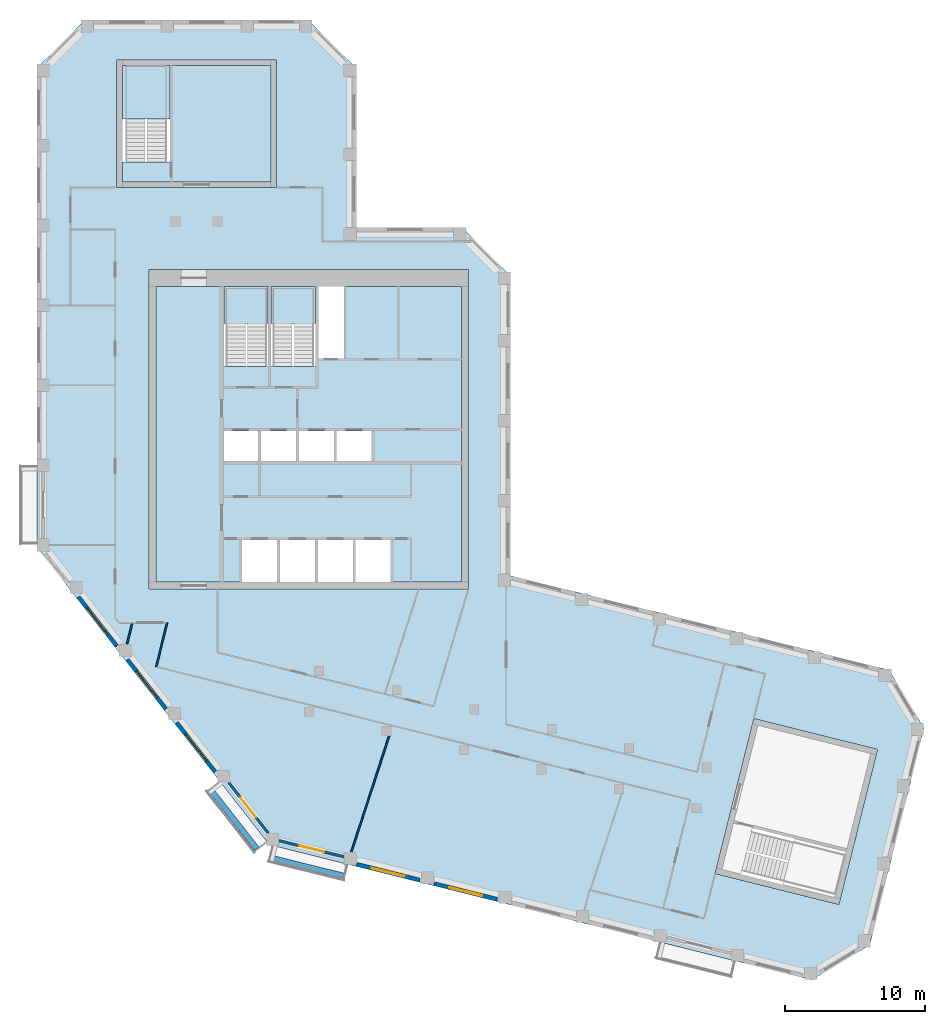
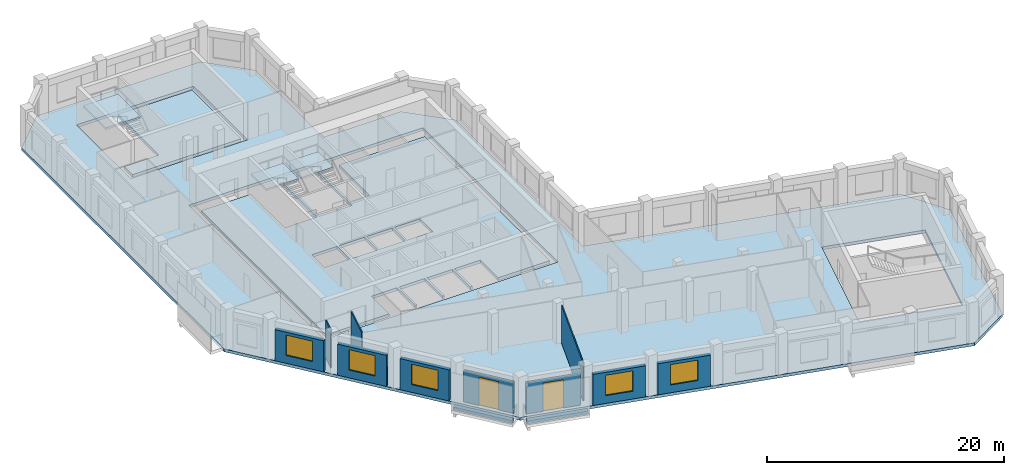
# One storey, part 2 of 8: 12 walls, 6 slabs, 5 windows, 2 doors, 7 openings, 3 elements without a shape of their own.
"""IFC4 building model written with IfcOpenShell, lengths in metres."""

import ifcopenshell
import ifcopenshell.guid

model = None  # the IFC model being written
_history = None  # IfcOwnerHistory: only IFC2X3 demands one
_inside = {}  # id of a spatial element -> (the spatial element, [elements in it])
_under = {}  # id of a project, library or spatial element -> (it, [spatial elements below it])
_declared = {}  # id of a project -> (the project, [libraries it declares])
_typed = {}  # id of a type object -> (the type object, [elements of that type])
_made_of = {}  # id of a material, layer set ... -> (it, [elements and type objects made of it])


def new_model(schema):
    """Start an empty IFC model of exactly this schema.

    Asked for "IFC4X3", IfcOpenShell would pick the latest addendum, in which some entities
    have other attributes; the version numbers below select the first issue.
    IFC2X3 requires an IfcOwnerHistory on every rooted entity: one is made here for all.
    """
    global model, _history
    if schema == "IFC4X3":
        model = ifcopenshell.file(schema_version=(4, 3, 0, 0))
    else:
        model = ifcopenshell.file(schema=schema)
    _inside.clear()
    _under.clear()
    _declared.clear()
    _typed.clear()
    _made_of.clear()
    _history = None
    if model.schema == "IFC2X3":
        org = make("IfcOrganization", Name="unknown")
        user = make(
            "IfcPersonAndOrganization",
            ThePerson=make("IfcPerson", FamilyName="unknown"),
            TheOrganization=org,
        )
        app = make(
            "IfcApplication",
            ApplicationDeveloper=org,
            Version="unknown",
            ApplicationFullName="unknown",
            ApplicationIdentifier="unknown",
        )
        _history = make(
            "IfcOwnerHistory",
            OwningUser=user,
            OwningApplication=app,
            ChangeAction="ADDED",
            CreationDate=0,
        )
    return model


def make(cls, **values):
    """One entity of the class cls with the attributes given. An attribute that is None is left unset."""
    return model.create_entity(
        cls, **{name: value for name, value in values.items() if value is not None}
    )


def rooted(cls, **values):
    """An entity with a GlobalId (a new one), such as an element, a storey or a relation."""
    return make(cls, GlobalId=ifcopenshell.guid.new(), OwnerHistory=_history, **values)


def si_unit(unit_type, name, prefix=None):
    """IfcSIUnit, for example si_unit("LENGTHUNIT", "METRE", prefix="MILLI")."""
    return make("IfcSIUnit", UnitType=unit_type, Prefix=prefix, Name=name)


def assignment(units):
    """IfcUnitAssignment: the units of a project."""
    return None if units is None else make("IfcUnitAssignment", Units=units)


def point(xyz):
    """IfcCartesianPoint."""
    return None if xyz is None else make("IfcCartesianPoint", Coordinates=xyz)


def direction(xyz):
    """IfcDirection."""
    return None if xyz is None else make("IfcDirection", DirectionRatios=xyz)


def frame(location, z_axis=None, x_axis=None):
    """IfcAxis2Placement3D, a coordinate frame: its origin and axes. An axis left out is left unset."""
    return make(
        "IfcAxis2Placement3D",
        Location=point(location),
        Axis=direction(z_axis),
        RefDirection=direction(x_axis),
    )


def frame_2d(location, x_axis=None):
    """IfcAxis2Placement2D, a coordinate frame in the plane: its origin and x axis."""
    return make(
        "IfcAxis2Placement2D", Location=point(location), RefDirection=direction(x_axis)
    )


def origin():
    """The frame at (0, 0, 0) with its axes left unset."""
    return frame((0.0, 0.0, 0.0))


def place(relative_to, where):
    """IfcLocalPlacement: puts the frame where relative to a parent placement (None: the world)."""
    return make(
        "IfcLocalPlacement", PlacementRelTo=relative_to, RelativePlacement=where
    )


def context(
    kind, dimensions, precision=None, world=None, true_north=None, identifier=None
):
    """IfcGeometricRepresentationContext, for example the 3D "Model" context."""
    return make(
        "IfcGeometricRepresentationContext",
        ContextIdentifier=identifier,
        ContextType=kind,
        CoordinateSpaceDimension=dimensions,
        Precision=precision,
        WorldCoordinateSystem=world,
        TrueNorth=true_north,
    )


def subcontext(parent, identifier, kind, view, scale=None):
    """IfcGeometricRepresentationSubContext, for example "Body" below "Model"."""
    return make(
        "IfcGeometricRepresentationSubContext",
        ContextIdentifier=identifier,
        ContextType=kind,
        ParentContext=parent,
        TargetScale=scale,
        TargetView=view,
    )


def project(units=None, contexts=None):
    """IfcProject with its units and contexts."""
    return rooted(
        "IfcProject",
        Name="project",
        RepresentationContexts=contexts,
        UnitsInContext=assignment(units),
    )


def spatial(cls, under=None, at=None, **own):
    """A site, building, storey or space (cls), placed at a placement, below another one or the project."""
    s = rooted(cls, ObjectPlacement=at, **own)
    if under is not None:
        _under.setdefault(under.id(), (under, []))[1].append(s)
    return s


def polyline(points):
    """IfcPolyline through the points."""
    return make("IfcPolyline", Points=[point(p) for p in points])


def profile(cls, at=None, kind="AREA", **sizes):
    """A parametric profile (cls). Its sizes go by their IFC names, for example OverallWidth=200.0."""
    return make(cls, ProfileType=kind, Position=at, **sizes)


def rectangle(**sizes):
    """IfcRectangleProfileDef."""
    return profile("IfcRectangleProfileDef", **sizes)


def outline(outer, holes=None, kind="AREA"):
    """IfcArbitraryClosedProfileDef: a profile drawn as a closed curve; with holes, ...WithVoids."""
    if holes is None:
        return make("IfcArbitraryClosedProfileDef", ProfileType=kind, OuterCurve=outer)
    return make(
        "IfcArbitraryProfileDefWithVoids",
        ProfileType=kind,
        OuterCurve=outer,
        InnerCurves=holes,
    )


def extrude(swept, where, along, depth):
    """IfcExtrudedAreaSolid: the profile swept, set in the frame where, extruded along a direction by depth."""
    return make(
        "IfcExtrudedAreaSolid",
        SweptArea=swept,
        Position=where,
        ExtrudedDirection=direction(along),
        Depth=depth,
    )


def shape(context_of_items, identifier, shape_type, items):
    """IfcShapeRepresentation: the items that make up one representation, for example the "Body"."""
    return make(
        "IfcShapeRepresentation",
        ContextOfItems=context_of_items,
        RepresentationIdentifier=identifier,
        RepresentationType=shape_type,
        Items=items,
    )


def material(Name=None, Category=None):
    """IfcMaterial."""
    return make("IfcMaterial", Name=Name, Category=Category)


def layer(
    of_material, thickness, ventilated=None, Name=None, Category=None, Priority=None
):
    """IfcMaterialLayer: one layer of a wall or slab, of a material (None: an air gap)."""
    return make(
        "IfcMaterialLayer",
        Material=of_material,
        LayerThickness=thickness,
        IsVentilated=ventilated,
        Name=Name,
        Category=Category,
        Priority=Priority,
    )


def layer_set(layers, Name=None):
    """IfcMaterialLayerSet."""
    return make("IfcMaterialLayerSet", MaterialLayers=layers, LayerSetName=Name)


def made_of(thing, what):
    """Note that an element or type object is made of a material, layer set ...; save() writes the relation."""
    if what is not None:
        _made_of.setdefault(what.id(), (what, []))[1].append(thing)
    return thing


def type_object(cls, material=None, **own):
    """A type object (cls), such as IfcWallType, which elements share."""
    return made_of(rooted(cls, **own), material)


def element(
    cls,
    number,
    at=None,
    inside=None,
    cuts=None,
    type_object=None,
    material=None,
    context=None,
    identifier="Body",
    shape_type=None,
    held_by="IfcProductDefinitionShape",
    body=None,
    shapes=None,
    **own,
):
    """One element of the class cls, such as IfcWall. Its Tag is "e" and its number.

    at: its placement. inside: the storey or other place that contains it. cuts: it is an
    opening in that element (IfcRelVoidsElement). A single representation is given by context,
    identifier, shape_type and body (its items); several are given by shapes. held_by: the class
    of the entity that holds the representations. save() writes the other relations.
    """
    e = rooted(cls, Tag="e%d" % number, ObjectPlacement=at, **own)
    if body is not None:
        shapes = [shape(context, identifier, shape_type, body)]
    if shapes is not None:
        e.Representation = make(held_by, Representations=shapes)
    if inside is not None:
        _inside.setdefault(inside.id(), (inside, []))[1].append(e)
    if cuts is not None:
        rooted(
            "IfcRelVoidsElement", RelatingBuildingElement=cuts, RelatedOpeningElement=e
        )
    if type_object is not None:
        _typed.setdefault(type_object.id(), (type_object, []))[1].append(e)
    return made_of(e, material)


def fill(opening, filler):
    """IfcRelFillsElement: the door or window that sits in an opening."""
    return rooted(
        "IfcRelFillsElement",
        RelatingOpeningElement=opening,
        RelatedBuildingElement=filler,
    )


def aggregate(whole, parts):
    """IfcRelAggregates: a whole, such as a stair, and the parts it consists of."""
    return rooted("IfcRelAggregates", RelatingObject=whole, RelatedObjects=parts)


def save(model, path):
    """Write the relations noted so far, then the file.

    IfcRelAggregates (storeys below a building ...), IfcRelContainedInSpatialStructure (elements
    in a storey), IfcRelDefinesByType, IfcRelAssociatesMaterial and IfcRelDeclares: one each for
    every whole, place, type object, material and project.
    """
    for whole, parts in _under.values():
        aggregate(whole, parts)
    for where, things in _inside.values():
        rooted(
            "IfcRelContainedInSpatialStructure",
            RelatedElements=things,
            RelatingStructure=where,
        )
    for kind, things in _typed.values():
        rooted("IfcRelDefinesByType", RelatedObjects=things, RelatingType=kind)
    for what, things in _made_of.values():
        rooted("IfcRelAssociatesMaterial", RelatedObjects=things, RelatingMaterial=what)
    for by, libraries in _declared.values():
        rooted("IfcRelDeclares", RelatingContext=by, RelatedDefinitions=libraries)
    model.write(path)


model = new_model("IFC4")

# Units and contexts
model_context = context("Model", 3, precision=1e-05, world=origin(), true_north=direction((0.0, 1.0)))
body_context = subcontext(model_context, "Body", "Model", "MODEL_VIEW")
ifc_project = project(units=[si_unit("LENGTHUNIT", "METRE"), si_unit("AREAUNIT", "SQUARE_METRE"), si_unit("VOLUMEUNIT", "CUBIC_METRE"), si_unit("PLANEANGLEUNIT", "RADIAN"), si_unit("MASSUNIT", "GRAM", prefix="KILO")], contexts=[model_context])

# Site, building, storey
site_placement = place(None, origin())
site = spatial("IfcSite", under=ifc_project, at=site_placement, CompositionType="ELEMENT")
building_placement = place(site_placement, origin())
building = spatial("IfcBuilding", under=site, at=building_placement, Name="Meshkara Civic Tower", CompositionType="ELEMENT")
storey_placement = place(building_placement, frame((0.0, 0.0, 391.800048828125)))
storey = spatial("IfcBuildingStorey", under=building, at=storey_placement, Name="L90", CompositionType="ELEMENT", Elevation=391.800048828125)

# Slabs
ifc_material_1 = material(Name="Concrete C40/50", Category="concrete")
ifc_layer_1 = layer(ifc_material_1, 0.300048828125)
ifc_layer_set_1 = layer_set([ifc_layer_1], Name="Core floor slab 300 C40/50")
slab_type_1 = type_object("IfcSlabType", Name="Core floor slab 300 C40/50", PredefinedType="FLOOR", material=ifc_layer_set_1)
slab_1_placement = place(storey_placement, frame((0.0, 0.0, -0.300048828125)))
element("IfcSlab", 1, at=slab_1_placement, inside=storey, type_object=slab_type_1, Name="Core floor K", PredefinedType="FLOOR", context=body_context, shape_type="SweptSolid", body=[
    extrude(outline(polyline([(8.5, 35.699951171875), (13.35009765625, 35.699951171875), (13.35009765625, 30.00146484375), (16.5, 30.00146484375), (16.5, 35.699951171875), (16.699951171875, 35.699951171875), (16.699951171875, 30.00146484375), (19.89990234375, 30.00146484375), (19.89990234375, 35.699951171875), (20.10009765625, 35.699951171875), (20.10009765625, 30.574951171875), (21.925048828125, 30.574951171875), (21.925048828125, 35.699951171875), (30.300048828125, 35.699951171875), (30.300048828125, 14.60009765625), (25.25, 14.60009765625), (25.25, 17.60009765625), (22.75, 17.60009765625), (22.75, 14.60009765625), (22.550048828125, 14.60009765625), (22.550048828125, 17.60009765625), (20.050048828125, 17.60009765625), (20.050048828125, 14.60009765625), (19.85009765625, 14.60009765625), (19.85009765625, 17.60009765625), (17.35009765625, 17.60009765625), (17.35009765625, 14.60009765625), (17.14990234375, 14.60009765625), (17.14990234375, 17.60009765625), (14.64990234375, 17.60009765625), (14.64990234375, 14.60009765625), (8.5, 14.60009765625), (8.5, 35.699951171875)]), holes=[polyline([(13.35009765625, 23.25), (15.800048828125, 23.25), (15.800048828125, 25.39990234375), (13.35009765625, 25.39990234375), (13.35009765625, 23.25)]), polyline([(18.5, 23.25), (18.5, 25.39990234375), (16.0, 25.39990234375), (16.0, 23.25), (18.5, 23.25)]), polyline([(18.699951171875, 23.25), (21.199951171875, 23.25), (21.199951171875, 25.39990234375), (18.699951171875, 25.39990234375), (18.699951171875, 23.25)]), polyline([(23.89990234375, 23.25), (23.89990234375, 25.39990234375), (21.39990234375, 25.39990234375), (21.39990234375, 23.25), (23.89990234375, 23.25)])]), origin(), (0.0, 0.0, 1.0), 0.300048828125),
])
slab_2_placement = place(storey_placement, frame((0.0, 0.0, -0.300048828125)))
element("IfcSlab", 2, at=slab_2_placement, inside=storey, type_object=slab_type_1, Name="Core floor EA", PredefinedType="FLOOR", context=body_context, shape_type="SweptSolid", body=[
    extrude(outline(polyline([(16.699951171875, 43.169921875), (16.699951171875, 51.469970703125), (9.5, 51.469970703125), (9.5, 44.571533203125), (6.10009765625, 44.571533203125), (6.10009765625, 43.169921875), (16.699951171875, 43.169921875)])), origin(), (0.0, 0.0, 1.0), 0.300048828125),
])

# Stair, slab
ifc_material_2 = material(Name="Precast concrete C40/50", Category="concrete")
stair_type = type_object("IfcStairType", Name="Exit stair half-turn 24 risers precast", PredefinedType="HALF_TURN_STAIR", material=ifc_material_2)
stair_1_placement = place(storey_placement, origin())
stair_1 = element("IfcStair", 3, at=stair_1_placement, inside=storey, type_object=stair_type, Name="L90 exit stair 1", PredefinedType="HALF_TURN_STAIR")
ifc_material_3 = material(Name="Precast concrete C40/50", Category="concrete")
ifc_layer_2 = layer(ifc_material_3, 0.199951171875)
ifc_layer_set_2 = layer_set([ifc_layer_2], Name="Exit stair landing 200")
slab_type_2 = type_object("IfcSlabType", Name="Exit stair landing 200", PredefinedType="LANDING", material=ifc_layer_set_2)
slab_3_placement = place(storey_placement, frame((0.0, 0.0, 1.89990234375)))
slab_3 = element("IfcSlab", 4, at=slab_3_placement, type_object=slab_type_2, Name="ST1 landing 1", PredefinedType="LANDING", context=body_context, shape_type="SweptSolid", body=[
    extrude(outline(polyline([(16.5, 33.07861328125), (16.5, 35.699951171875), (13.35009765625, 35.699951171875), (13.35009765625, 33.07861328125), (16.5, 33.07861328125)])), origin(), (0.0, 0.0, 1.0), 0.199951171875),
])
aggregate(stair_1, [slab_3])

stair_2_placement = place(storey_placement, origin())
stair_2 = element("IfcStair", 5, at=stair_2_placement, inside=storey, type_object=stair_type, Name="L90 exit stair 2", PredefinedType="HALF_TURN_STAIR")
slab_4_placement = place(storey_placement, frame((0.0, 0.0, 1.89990234375)))
slab_4 = element("IfcSlab", 6, at=slab_4_placement, type_object=slab_type_2, Name="ST2 landing 1", PredefinedType="LANDING", context=body_context, shape_type="SweptSolid", body=[
    extrude(outline(polyline([(19.89990234375, 33.07861328125), (19.89990234375, 35.699951171875), (16.699951171875, 35.699951171875), (16.699951171875, 33.07861328125), (19.89990234375, 33.07861328125)])), origin(), (0.0, 0.0, 1.0), 0.199951171875),
])
aggregate(stair_2, [slab_4])

stair_3_placement = place(storey_placement, origin())
stair_3 = element("IfcStair", 7, at=stair_3_placement, inside=storey, type_object=stair_type, Name="L90 exit stair A from L80", PredefinedType="HALF_TURN_STAIR")
slab_5_placement = place(storey_placement, frame((0.0, 0.0, 1.89990234375)))
slab_5 = element("IfcSlab", 8, at=slab_5_placement, type_object=slab_type_2, Name="ESA6 landing 1", PredefinedType="LANDING", context=body_context, shape_type="SweptSolid", body=[
    extrude(outline(polyline([(9.5, 47.6484375), (9.5, 51.469970703125), (6.10009765625, 51.469970703125), (6.10009765625, 47.6484375), (9.5, 47.6484375)])), origin(), (0.0, 0.0, 1.0), 0.199951171875),
])
aggregate(stair_3, [slab_5])

# Slab
ifc_material_4 = material(Name="Concrete C50", Category="concrete")
ifc_layer_3 = layer(ifc_material_4, 0.300048828125)
ifc_layer_set_3 = layer_set([ifc_layer_3], Name="Post-tensioned flat slab 300 C50")
slab_type_3 = type_object("IfcSlabType", Name="Post-tensioned flat slab 300 C50", PredefinedType="FLOOR", material=ifc_layer_set_3)
slab_6_placement = place(storey_placement, frame((0.0, 0.0, -0.300048828125)))
element("IfcSlab", 9, at=slab_6_placement, inside=storey, type_object=slab_type_3, Name="Post-tensioned flat slab L90", PredefinedType="FLOOR", context=body_context, shape_type="SweptSolid", body=[
    extrude(outline(polyline([(59.452880859375, -11.299072265625), (55.306884765625, -13.7900390625), (16.592041015625, -4.136962890625), (0.0, 17.10009765625), (0.0, 51.300048828125), (3.419921875, 54.719970703125), (19.3798828125, 54.719970703125), (22.800048828125, 51.300048828125), (22.800048828125, 39.89990234375), (30.3798828125, 39.89990234375), (33.800048828125, 36.47998046875), (33.800048828125, 15.071044921875), (60.822998046875, 8.3330078125), (63.31396484375, 4.18701171875), (59.452880859375, -11.299072265625)]), holes=[polyline([(57.239013671875, -8.39697265625), (59.9970703125, 2.6650390625), (51.1669921875, 4.865966796875), (48.408935546875, -6.195068359375), (57.239013671875, -8.39697265625)]), polyline([(8.0, 14.10009765625), (30.800048828125, 14.10009765625), (30.800048828125, 36.89990234375), (8.0, 36.89990234375), (8.0, 14.10009765625)]), polyline([(5.699951171875, 51.8701171875), (5.699951171875, 42.77001953125), (17.10009765625, 42.77001953125), (17.10009765625, 51.8701171875), (5.699951171875, 51.8701171875)])]), origin(), (0.0, 0.0, 1.0), 0.300048828125),
])

# Wall
ifc_material_5 = material(Name="Corridor wall 100")
ifc_layer_4 = layer(ifc_material_5, 0.10009765625)
ifc_layer_set_4 = layer_set([ifc_layer_4], Name="Corridor wall 100")
wall_type_1 = type_object("IfcWallType", Name="Corridor wall 100", PredefinedType="PARTITIONING", material=ifc_layer_set_4)
wall_1_placement = place(storey_placement, frame((9.301025390625, 11.699951171875, 0.0), z_axis=(0.0, 0.0, 1.0), x_axis=(-0.241592536742, -0.970377785293, 0.0)))
element("IfcWall", 10, at=wall_1_placement, inside=storey, type_object=wall_type_1, Name="L90-W008", PredefinedType="PARTITIONING", context=body_context, shape_type="SweptSolid", body=[
    extrude(rectangle(XDim=3.228759765625, YDim=0.10009765625, at=frame_2d((1.6142578125, 0.0))), origin(), (0.0, 0.0, 1.0), 3.89990234375),
])

# Wall, opening, window
ifc_material_6 = material(Name="Insulated infill panel with bronze anodised aluminium cladding", Category="aluminium")
ifc_layer_5 = layer(ifc_material_6, 0.300048828125)
ifc_layer_set_5 = layer_set([ifc_layer_5], Name="EXTERNAL INFILL WALL 300")
wall_type_2 = type_object("IfcWallType", Name="EXTERNAL INFILL WALL 300", PredefinedType="SOLIDWALL", material=ifc_layer_set_5)
wall_2_placement = place(storey_placement, frame((2.967041015625, 13.547119140625, 0.0), z_axis=(0.0, 0.0, 1.0), x_axis=(0.615486001463, -0.788147817356, 0.0)))
wall_2 = element("IfcWall", 11, at=wall_2_placement, inside=storey, type_object=wall_type_2, Name="External wall", PredefinedType="SOLIDWALL", context=body_context, shape_type="SweptSolid", body=[
    extrude(rectangle(XDim=4.43701171875, YDim=0.300048828125, at=frame_2d((2.218505859375, 0.0))), origin(), (0.0, 0.0, 1.0), 3.199951171875),
])
opening_1_placement = place(wall_2_placement, frame((1.01806640625, 0.0, 0.800048828125)))
opening_1 = element("IfcOpeningElement", 12, at=opening_1_placement, cuts=wall_2, Name="Opening W7", PredefinedType="OPENING", context=body_context, shape_type="SweptSolid", body=[
    extrude(rectangle(XDim=2.39990234375, YDim=2.10009765625, at=frame_2d((1.199951171875, 1.050048828125))), frame((0.0, 0.159912109375, 0.0), z_axis=(0.0, -1.0, 0.0), x_axis=(1.0, 0.0, 0.0)), (0.0, 0.0, 1.0), 0.320068359375),
])
ifc_material_7 = material(Name="Tinted double glazing", Category="glass")
window_type = type_object("IfcWindowType", Name="WINDOW 2400x2100", PartitioningType="DOUBLE_PANEL_VERTICAL", PredefinedType="WINDOW", material=ifc_material_7)
window_1_placement = place(opening_1_placement, origin())
window_1 = element("IfcWindow", 13, at=window_1_placement, inside=storey, type_object=window_type, Name="Window", OverallHeight=2.10009765625, OverallWidth=2.39990234375, PartitioningType="DOUBLE_PANEL_VERTICAL", PredefinedType="WINDOW", context=body_context, shape_type="SweptSolid", body=[
    extrude(rectangle(XDim=2.39990234375, YDim=2.10009765625, at=frame_2d((1.199951171875, 1.050048828125))), frame((0.0, 0.030029296875, 0.0), z_axis=(0.0, -1.0, 0.0), x_axis=(1.0, 0.0, 0.0)), (0.0, 0.0, 1.0), 0.06005859375),
])
fill(opening_1, window_1)

wall_3_placement = place(storey_placement, frame((6.47607421875, 9.054931640625, 0.0), z_axis=(0.0, 0.0, 1.0), x_axis=(0.615649380255, -0.788020203162, 0.0)))
wall_3 = element("IfcWall", 14, at=wall_3_placement, inside=storey, type_object=wall_type_2, Name="External wall", PredefinedType="SOLIDWALL", context=body_context, shape_type="SweptSolid", body=[
    extrude(rectangle(XDim=4.4375, YDim=0.300048828125, at=frame_2d((2.21875, 0.0))), origin(), (0.0, 0.0, 1.0), 3.199951171875),
])
opening_2_placement = place(wall_3_placement, frame((1.01904296875, 0.0, 0.800048828125)))
opening_2 = element("IfcOpeningElement", 15, at=opening_2_placement, cuts=wall_3, Name="Opening W7", PredefinedType="OPENING", context=body_context, shape_type="SweptSolid", body=[
    extrude(rectangle(XDim=2.39990234375, YDim=2.10009765625, at=frame_2d((1.199951171875, 1.050048828125))), frame((0.0, 0.159912109375, 0.0), z_axis=(0.0, -1.0, 0.0), x_axis=(1.0, 0.0, 0.0)), (0.0, 0.0, 1.0), 0.320068359375),
])
window_2_placement = place(opening_2_placement, origin())
window_2 = element("IfcWindow", 16, at=window_2_placement, inside=storey, type_object=window_type, Name="Window", OverallHeight=2.10009765625, OverallWidth=2.39990234375, PartitioningType="DOUBLE_PANEL_VERTICAL", PredefinedType="WINDOW", context=body_context, shape_type="SweptSolid", body=[
    extrude(rectangle(XDim=2.39990234375, YDim=2.10009765625, at=frame_2d((1.199951171875, 1.050048828125))), frame((0.0, 0.030029296875, 0.0), z_axis=(0.0, -1.0, 0.0), x_axis=(1.0, 0.0, 0.0)), (0.0, 0.0, 1.0), 0.06005859375),
])
fill(opening_2, window_2)

wall_4_placement = place(storey_placement, frame((9.986083984375, 4.56298828125, 0.0), z_axis=(0.0, 0.0, 1.0), x_axis=(0.615592779411, -0.788064419915, 0.0)))
wall_4 = element("IfcWall", 17, at=wall_4_placement, inside=storey, type_object=wall_type_2, Name="External wall", PredefinedType="SOLIDWALL", context=body_context, shape_type="SweptSolid", body=[
    extrude(rectangle(XDim=4.436279296875, YDim=0.300048828125, at=frame_2d((2.21826171875, 0.0))), origin(), (0.0, 0.0, 1.0), 3.199951171875),
])
opening_3_placement = place(wall_4_placement, frame((1.01806640625, 0.0, 0.800048828125)))
opening_3 = element("IfcOpeningElement", 18, at=opening_3_placement, cuts=wall_4, Name="Opening W7", PredefinedType="OPENING", context=body_context, shape_type="SweptSolid", body=[
    extrude(rectangle(XDim=2.39990234375, YDim=2.10009765625, at=frame_2d((1.199951171875, 1.050048828125))), frame((0.0, 0.159912109375, 0.0), z_axis=(0.0, -1.0, 0.0), x_axis=(1.0, 0.0, 0.0)), (0.0, 0.0, 1.0), 0.320068359375),
])
window_3_placement = place(opening_3_placement, origin())
window_3 = element("IfcWindow", 19, at=window_3_placement, inside=storey, type_object=window_type, Name="Window", OverallHeight=2.10009765625, OverallWidth=2.39990234375, PartitioningType="DOUBLE_PANEL_VERTICAL", PredefinedType="WINDOW", context=body_context, shape_type="SweptSolid", body=[
    extrude(rectangle(XDim=2.39990234375, YDim=2.10009765625, at=frame_2d((1.199951171875, 1.050048828125))), frame((0.0, 0.030029296875, 0.0), z_axis=(0.0, -1.0, 0.0), x_axis=(1.0, 0.0, 0.0)), (0.0, 0.0, 1.0), 0.06005859375),
])
fill(opening_3, window_3)

wall_5_placement = place(storey_placement, frame((22.839111328125, -5.5400390625, 0.0), z_axis=(0.0, 0.0, 1.0), x_axis=(0.970282587769, -0.241974585177, 0.0)))
wall_5 = element("IfcWall", 20, at=wall_5_placement, inside=storey, type_object=wall_type_2, Name="External wall", PredefinedType="SOLIDWALL", context=body_context, shape_type="SweptSolid", body=[
    extrude(rectangle(XDim=4.60791015625, YDim=0.300048828125, at=frame_2d((2.303955078125, 0.0))), origin(), (0.0, 0.0, 1.0), 3.199951171875),
])
opening_4_placement = place(wall_5_placement, frame((1.10400390625, 0.0, 0.800048828125)))
opening_4 = element("IfcOpeningElement", 21, at=opening_4_placement, cuts=wall_5, Name="Opening W7", PredefinedType="OPENING", context=body_context, shape_type="SweptSolid", body=[
    extrude(rectangle(XDim=2.39990234375, YDim=2.10009765625, at=frame_2d((1.199951171875, 1.050048828125))), frame((0.0, 0.159912109375, 0.0), z_axis=(0.0, -1.0, 0.0), x_axis=(1.0, 0.0, 0.0)), (0.0, 0.0, 1.0), 0.320068359375),
])
window_4_placement = place(opening_4_placement, origin())
window_4 = element("IfcWindow", 22, at=window_4_placement, inside=storey, type_object=window_type, Name="Window", OverallHeight=2.10009765625, OverallWidth=2.39990234375, PartitioningType="DOUBLE_PANEL_VERTICAL", PredefinedType="WINDOW", context=body_context, shape_type="SweptSolid", body=[
    extrude(rectangle(XDim=2.39990234375, YDim=2.10009765625, at=frame_2d((1.199951171875, 1.050048828125))), frame((0.0, 0.030029296875, 0.0), z_axis=(0.0, -1.0, 0.0), x_axis=(1.0, 0.0, 0.0)), (0.0, 0.0, 1.0), 0.06005859375),
])
fill(opening_4, window_4)

wall_6_placement = place(storey_placement, frame((28.368896484375, -6.9189453125, 0.0), z_axis=(0.0, 0.0, 1.0), x_axis=(0.970298093093, -0.241912402618, 0.0)))
wall_6 = element("IfcWall", 23, at=wall_6_placement, inside=storey, type_object=wall_type_2, Name="External wall", PredefinedType="SOLIDWALL", context=body_context, shape_type="SweptSolid", body=[
    extrude(rectangle(XDim=4.609130859375, YDim=0.300048828125, at=frame_2d((2.3046875, 0.0))), origin(), (0.0, 0.0, 1.0), 3.199951171875),
])
opening_5_placement = place(wall_6_placement, frame((1.10498046875, 0.0, 0.800048828125)))
opening_5 = element("IfcOpeningElement", 24, at=opening_5_placement, cuts=wall_6, Name="Opening W7", PredefinedType="OPENING", context=body_context, shape_type="SweptSolid", body=[
    extrude(rectangle(XDim=2.39990234375, YDim=2.10009765625, at=frame_2d((1.199951171875, 1.050048828125))), frame((0.0, 0.159912109375, 0.0), z_axis=(0.0, -1.0, 0.0), x_axis=(1.0, 0.0, 0.0)), (0.0, 0.0, 1.0), 0.320068359375),
])
window_5_placement = place(opening_5_placement, origin())
window_5 = element("IfcWindow", 25, at=window_5_placement, inside=storey, type_object=window_type, Name="Window", OverallHeight=2.10009765625, OverallWidth=2.39990234375, PartitioningType="DOUBLE_PANEL_VERTICAL", PredefinedType="WINDOW", context=body_context, shape_type="SweptSolid", body=[
    extrude(rectangle(XDim=2.39990234375, YDim=2.10009765625, at=frame_2d((1.199951171875, 1.050048828125))), frame((0.0, 0.030029296875, 0.0), z_axis=(0.0, -1.0, 0.0), x_axis=(1.0, 0.0, 0.0)), (0.0, 0.0, 1.0), 0.06005859375),
])
fill(opening_5, window_5)

# Wall, opening, door
ifc_material_8 = material(Name="Insulated infill panel with bronze anodised aluminium cladding", Category="aluminium")
ifc_layer_6 = layer(ifc_material_8, 0.199951171875)
ifc_layer_set_6 = layer_set([ifc_layer_6], Name="LOGGIA BACK WALL 200")
wall_type_3 = type_object("IfcWallType", Name="LOGGIA BACK WALL 200", PredefinedType="SOLIDWALL", material=ifc_layer_set_6)
wall_7_placement = place(storey_placement, frame((13.694091796875, 0.303955078125, 0.0), z_axis=(0.0, 0.0, 1.0), x_axis=(0.615460024179, -0.788168103033, 0.0)))
wall_7 = element("IfcWall", 26, at=wall_7_placement, inside=storey, type_object=wall_type_3, Name="Loggia wall", PredefinedType="SOLIDWALL", context=body_context, shape_type="SweptSolid", body=[
    extrude(rectangle(XDim=4.557373046875, YDim=0.199951171875, at=frame_2d((2.27880859375, 0.0))), origin(), (0.0, 0.0, 1.0), 3.199951171875),
])
opening_6_placement = place(wall_7_placement, frame((1.37890625, 0.0, 0.0)))
opening_6 = element("IfcOpeningElement", 27, at=opening_6_placement, cuts=wall_7, Name="Opening L90-L002", PredefinedType="OPENING", context=body_context, shape_type="SweptSolid", body=[
    extrude(rectangle(XDim=1.800048828125, YDim=2.89990234375, at=frame_2d((0.89990234375, 1.449951171875))), frame((0.0, 0.10986328125, 0.0), z_axis=(0.0, -1.0, 0.0), x_axis=(1.0, 0.0, 0.0)), (0.0, 0.0, 1.0), 0.219970703125),
])
ifc_material_9 = material(Name="Tinted double glazing", Category="glass")
door_type = type_object("IfcDoorType", Name="LOGGIA DOOR 1800x2900", OperationType="DOUBLE_DOOR_SINGLE_SWING", PredefinedType="DOOR", material=ifc_material_9)
door_1_placement = place(opening_6_placement, origin())
door_1 = element("IfcDoor", 28, at=door_1_placement, inside=storey, type_object=door_type, Name="L90-L002", OperationType="DOUBLE_DOOR_SINGLE_SWING", OverallHeight=2.89990234375, OverallWidth=1.800048828125, PredefinedType="DOOR", context=body_context, shape_type="SweptSolid", body=[
    extrude(rectangle(XDim=1.800048828125, YDim=2.89990234375, at=frame_2d((0.89990234375, 1.449951171875))), frame((0.0, 0.02490234375, 0.0), z_axis=(0.0, -1.0, 0.0), x_axis=(1.0, 0.0, 0.0)), (0.0, 0.0, 1.0), 0.050048828125),
])
fill(opening_6, door_1)

wall_8_placement = place(storey_placement, frame((17.301025390625, -3.85009765625, 0.0), z_axis=(0.0, 0.0, 1.0), x_axis=(0.970286762598, -0.241957844111, 0.0)))
wall_8 = element("IfcWall", 29, at=wall_8_placement, inside=storey, type_object=wall_type_3, Name="Loggia wall", PredefinedType="SOLIDWALL", context=body_context, shape_type="SweptSolid", body=[
    extrude(rectangle(XDim=4.772705078125, YDim=0.199951171875, at=frame_2d((2.38623046875, 0.0))), origin(), (0.0, 0.0, 1.0), 3.199951171875),
])
opening_7_placement = place(wall_8_placement, frame((1.486083984375, 0.0, 0.0)))
opening_7 = element("IfcOpeningElement", 30, at=opening_7_placement, cuts=wall_8, Name="Opening L90-L003", PredefinedType="OPENING", context=body_context, shape_type="SweptSolid", body=[
    extrude(rectangle(XDim=1.800048828125, YDim=2.89990234375, at=frame_2d((0.89990234375, 1.449951171875))), frame((0.0, 0.10986328125, 0.0), z_axis=(0.0, -1.0, 0.0), x_axis=(1.0, 0.0, 0.0)), (0.0, 0.0, 1.0), 0.219970703125),
])
door_2_placement = place(opening_7_placement, origin())
door_2 = element("IfcDoor", 31, at=door_2_placement, inside=storey, type_object=door_type, Name="L90-L003", OperationType="DOUBLE_DOOR_SINGLE_SWING", OverallHeight=2.89990234375, OverallWidth=1.800048828125, PredefinedType="DOOR", context=body_context, shape_type="SweptSolid", body=[
    extrude(rectangle(XDim=1.800048828125, YDim=2.89990234375, at=frame_2d((0.89990234375, 1.449951171875))), frame((0.0, 0.02490234375, 0.0), z_axis=(0.0, -1.0, 0.0), x_axis=(1.0, 0.0, 0.0)), (0.0, 0.0, 1.0), 0.050048828125),
])
fill(opening_7, door_2)

# Walls
ifc_material_10 = material(Name="Concrete C40", Category="concrete")
ifc_layer_7 = layer(ifc_material_10, 0.39990234375)
ifc_layer_set_7 = layer_set([ifc_layer_7], Name="PLANTER TRAY")
wall_type_4 = type_object("IfcWallType", Name="PLANTER TRAY", PredefinedType="SOLIDWALL", material=ifc_layer_set_7)
wall_9_placement = place(storey_placement, frame((12.39794921875, -0.198974609375, 0.0), z_axis=(0.0, 0.0, 1.0), x_axis=(0.615638738903, -0.788028516719, 0.0)))
element("IfcWall", 32, at=wall_9_placement, inside=storey, type_object=wall_type_4, Name="Planter", PredefinedType="SOLIDWALL", context=body_context, shape_type="SweptSolid", body=[
    extrude(rectangle(XDim=5.3603515625, YDim=0.39990234375, at=frame_2d((2.68017578125, 0.0))), origin(), (0.0, 0.0, 1.0), 0.300048828125),
])
wall_10_placement = place(storey_placement, frame((16.694091796875, -5.069091796875, 0.0), z_axis=(0.0, 0.0, 1.0), x_axis=(0.970289679319, -0.241946147329, 0.0)))
element("IfcWall", 33, at=wall_10_placement, inside=storey, type_object=wall_type_4, Name="Planter", PredefinedType="SOLIDWALL", context=body_context, shape_type="SweptSolid", body=[
    extrude(rectangle(XDim=5.360107421875, YDim=0.39990234375, at=frame_2d((2.68017578125, 0.0))), origin(), (0.0, 0.0, 1.0), 0.300048828125),
])
ifc_material_11 = material(Name="Partition 100")
ifc_layer_8 = layer(ifc_material_11, 0.10009765625)
ifc_layer_set_8 = layer_set([ifc_layer_8], Name="Partition 100")
wall_type_5 = type_object("IfcWallType", Name="Partition 100", PredefinedType="PARTITIONING", material=ifc_layer_set_8)
wall_11_placement = place(storey_placement, frame((6.797119140625, 11.637939453125, 0.0), z_axis=(0.0, 0.0, 1.0), x_axis=(-0.242113049408, -0.970248046278, 0.0)))
element("IfcWall", 34, at=wall_11_placement, inside=storey, type_object=wall_type_5, Name="L90-W027", PredefinedType="PARTITIONING", context=body_context, shape_type="SweptSolid", body=[
    extrude(rectangle(XDim=1.495361328125, YDim=0.10009765625, at=frame_2d((0.74755859375, 0.0))), origin(), (0.0, 0.0, 1.0), 3.89990234375),
])
wall_12_placement = place(storey_placement, frame((22.444091796875, -4.6669921875, 0.0), z_axis=(0.0, 0.0, 1.0), x_axis=(0.308974080069, 0.951070458928, 0.0)))
element("IfcWall", 35, at=wall_12_placement, inside=storey, type_object=wall_type_5, Name="L90-W028", PredefinedType="PARTITIONING", context=body_context, shape_type="SweptSolid", body=[
    extrude(rectangle(XDim=8.72509765625, YDim=0.10009765625, at=frame_2d((4.362548828125, 0.0))), origin(), (0.0, 0.0, 1.0), 3.89990234375),
])

save(model, "model.ifc")
